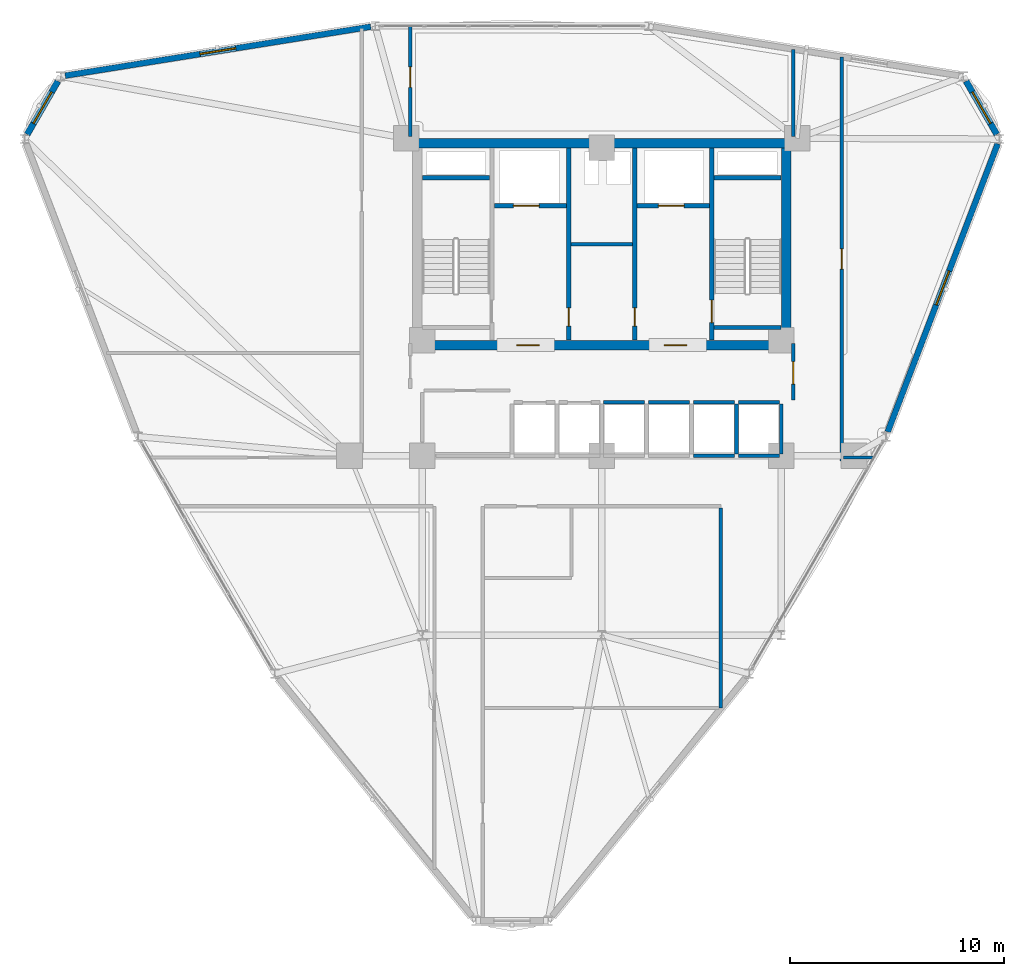
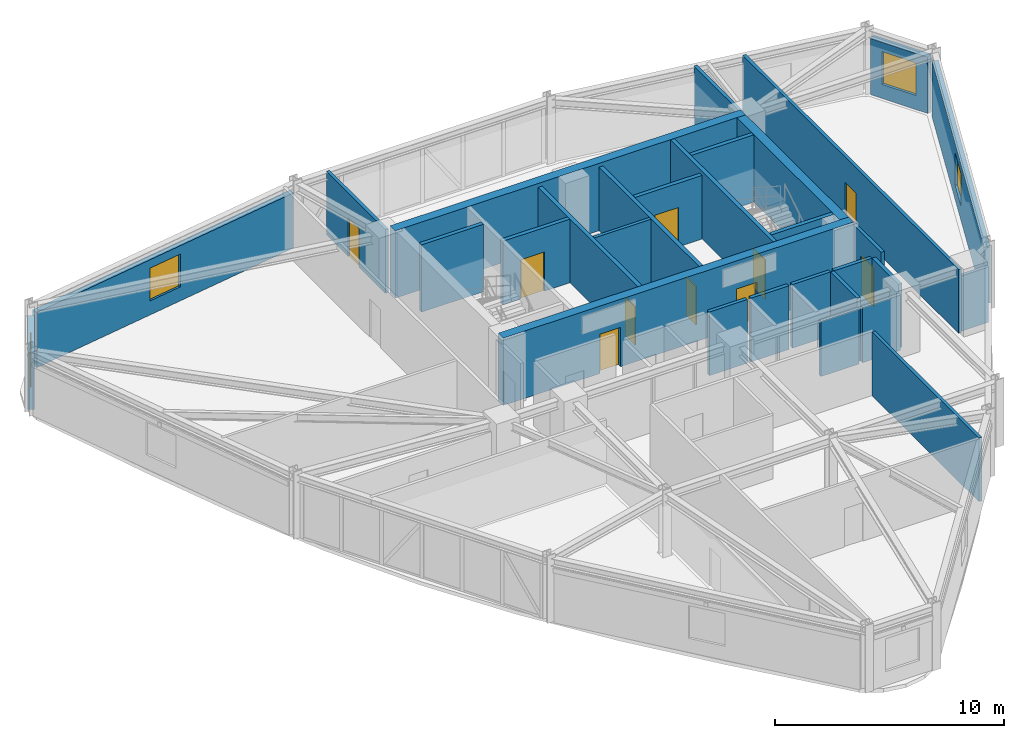
# One storey, part 11 of 15: 30 walls, 10 doors, 4 windows, 14 openings.
"""IFC4 building model written with IfcOpenShell, lengths in metres."""

from ifc_helpers import new_model, si_unit, derived_unit, direction, frame, frame_2d, origin, place, context, subcontext, project, spatial, rectangle, extrude, material, layer, layer_set, type_object, element, fill, save


model = new_model("IFC4")

# Units and contexts
model_context = context("Model", 3, precision=1e-05, world=origin(), true_north=direction((0.0, 1.0)))
body_context = subcontext(model_context, "Body", "Model", "MODEL_VIEW")
ifc_project = project(units=[si_unit("LENGTHUNIT", "METRE"), si_unit("AREAUNIT", "SQUARE_METRE"), si_unit("VOLUMEUNIT", "CUBIC_METRE"), si_unit("PLANEANGLEUNIT", "RADIAN"), si_unit("MASSUNIT", "GRAM", prefix="KILO"), derived_unit("THERMALTRANSMITTANCEUNIT", [(si_unit("POWERUNIT", "WATT"), 1), (si_unit("LENGTHUNIT", "METRE"), -2), (si_unit("THERMODYNAMICTEMPERATUREUNIT", "KELVIN"), -1)])], contexts=[model_context])

# Site, building, storey
site_placement = place(None, origin())
site = spatial("IfcSite", under=ifc_project, at=site_placement, CompositionType="ELEMENT")
building_placement = place(site_placement, origin())
building = spatial("IfcBuilding", under=site, at=building_placement, Name="Korsvarv Bourse and Concert Hall", CompositionType="ELEMENT")
storey_placement = place(building_placement, frame((0.0, 0.0, 157.800048828125)))
storey = spatial("IfcBuildingStorey", under=building, at=storey_placement, Name="L40", CompositionType="ELEMENT", Elevation=157.800048828125)

# Wall
ifc_material_1 = material(Name="Concrete C50/60", Category="concrete")
ifc_layer_1 = layer(ifc_material_1, 0.3798828125)
ifc_layer_set_1 = layer_set([ifc_layer_1], Name="Concrete C50/60")
wall_type_1 = type_object("IfcWallType", Name="WL-CORE-380", PredefinedType="SHEAR", material=ifc_layer_set_1)
wall_1_placement = place(storey_placement, frame((27.610107421875, 45.39990234375, 0.0), z_axis=(0.0, 0.0, 1.0), x_axis=(1.0, 0.0, 0.0)))
element("IfcWall", 1, at=wall_1_placement, inside=storey, type_object=wall_type_1, Name="L40 stair shaft structural wall W-L40-ST1-N", PredefinedType="SHEAR", context=body_context, shape_type="SweptSolid", body=[
    extrude(rectangle(XDim=3.139892578125, YDim=0.199951171875, at=frame_2d((1.56982421875, 0.0))), origin(), (0.0, 0.0, 1.0), 3.599853515625),
])

# Wall, opening, door
wall_2_placement = place(storey_placement, frame((41.139892578125, 37.81005859375, 0.0), z_axis=(0.0, 0.0, 1.0), x_axis=(0.0, 1.0, 0.0)))
wall_2 = element("IfcWall", 2, at=wall_2_placement, inside=storey, type_object=wall_type_1, Name="L40 stair shaft structural wall W-L40-ST2-W", PredefinedType="SHEAR", context=body_context, shape_type="SweptSolid", body=[
    extrude(rectangle(XDim=8.97998046875, YDim=0.199951171875, at=frame_2d((4.489990234375, 0.0))), origin(), (0.0, 0.0, 1.0), 3.599853515625),
])
opening_1_placement = place(wall_2_placement, frame((0.820068359375, 0.0, 0.0)))
opening_1 = element("IfcOpeningElement", 3, at=opening_1_placement, cuts=wall_2, Name="Opening D-01", PredefinedType="OPENING", context=body_context, shape_type="SweptSolid", body=[
    extrude(rectangle(XDim=1.050048828125, YDim=2.10009765625, at=frame_2d((0.52490234375, 1.050048828125))), frame((0.0, 0.10986328125, 0.0), z_axis=(0.0, -1.0, 0.0), x_axis=(1.0, 0.0, 0.0)), (0.0, 0.0, 1.0), 0.219970703125),
])
ifc_material_2 = material(Name="Steel S355 fire door", Category="steel")
door_type_1 = type_object("IfcDoorType", Name="DR-FD60", OperationType="NOTDEFINED", PredefinedType="DOOR", material=ifc_material_2)
door_1_placement = place(opening_1_placement, frame((1.050048828125, 0.0, 0.0), z_axis=(0.0, 0.0, 1.0), x_axis=(-1.0, 0.0, 0.0)))
door_1 = element("IfcDoor", 4, at=door_1_placement, inside=storey, type_object=door_type_1, Name="L40 interior door DR-L40-ST2", OperationType="SINGLE_SWING_RIGHT", OverallHeight=2.10009765625, OverallWidth=1.050048828125, PredefinedType="DOOR", context=body_context, shape_type="SweptSolid", body=[
    extrude(rectangle(XDim=1.050048828125, YDim=2.10009765625, at=frame_2d((0.52490234375, 1.050048828125))), frame((0.0, 0.02490234375, 0.0), z_axis=(0.0, -1.0, 0.0), x_axis=(1.0, 0.0, 0.0)), (0.0, 0.0, 1.0), 0.050048828125),
])
fill(opening_1, door_1)

# Walls
for number, where, z_axis, x_axis, name in (
    (5, (41.25, 45.39990234375, 0.0), (0.0, 0.0, 1.0), (1.0, 0.0, 0.0), "L40 stair shaft structural wall W-L40-ST2-N"),
    (6, (41.25, 38.39990234375, 0.0), (0.0, 0.0, 1.0), (1.0, 0.0, 0.0), "L40 stair shaft structural wall W-L40-ST2-S"),
):
    element("IfcWall", number, at=place(storey_placement, frame(where, z_axis=z_axis, x_axis=x_axis)), inside=storey, type_object=wall_type_1, Name=name, PredefinedType="SHEAR", context=body_context, shape_type="SweptSolid", body=[
        extrude(rectangle(XDim=3.139892578125, YDim=0.199951171875, at=frame_2d((1.56982421875, 0.0))), origin(), (0.0, 0.0, 1.0), 3.599853515625),
    ])
ifc_material_3 = material(Name="Concrete C55/67", Category="concrete")
ifc_layer_2 = layer(ifc_material_3, 0.449951171875)
ifc_layer_set_2 = layer_set([ifc_layer_2], Name="Concrete C55/67")
wall_type_2 = type_object("IfcWallType", Name="WL-CORE-450", PredefinedType="SHEAR", material=ifc_layer_set_2)
wall_3_placement = place(storey_placement, frame((27.14990234375, 47.02490234375, 0.0), z_axis=(0.0, 0.0, 1.0), x_axis=(1.0, 0.0, 0.0)))
element("IfcWall", 7, at=wall_3_placement, inside=storey, type_object=wall_type_2, Name="L40 North Core Shear Wall", PredefinedType="SHEAR", context=body_context, shape_type="SweptSolid", body=[
    extrude(rectangle(XDim=17.7001953125, YDim=0.449951171875, at=frame_2d((8.85009765625, 0.0))), origin(), (0.0, 0.0, 1.0), 3.599853515625),
])

# Wall, openings, doors
wall_4_placement = place(storey_placement, frame((27.14990234375, 37.574951171875, 0.0), z_axis=(0.0, 0.0, 1.0), x_axis=(1.0, 0.0, 0.0)))
wall_4 = element("IfcWall", 8, at=wall_4_placement, inside=storey, type_object=wall_type_2, Name="L40 South Core Shear Wall", PredefinedType="SHEAR", context=body_context, shape_type="SweptSolid", body=[
    extrude(rectangle(XDim=17.7001953125, YDim=0.449951171875, at=frame_2d((8.85009765625, 0.0))), origin(), (0.0, 0.0, 1.0), 3.599853515625),
])
opening_2_placement = place(wall_4_placement, frame((4.875, 0.0, 0.0)))
opening_2 = element("IfcOpeningElement", 9, at=opening_2_placement, cuts=wall_4, Name="Opening D-01", PredefinedType="OPENING", context=body_context, shape_type="SweptSolid", body=[
    extrude(rectangle(XDim=1.050048828125, YDim=2.10009765625, at=frame_2d((0.52490234375, 1.050048828125))), frame((0.0, 0.23486328125, 0.0), z_axis=(0.0, -1.0, 0.0), x_axis=(1.0, 0.0, 0.0)), (0.0, 0.0, 1.0), 0.469970703125),
])
opening_3_placement = place(wall_4_placement, frame((11.77490234375, 0.0, 0.0)))
opening_3 = element("IfcOpeningElement", 10, at=opening_3_placement, cuts=wall_4, Name="Opening D-01", PredefinedType="OPENING", context=body_context, shape_type="SweptSolid", body=[
    extrude(rectangle(XDim=1.050048828125, YDim=2.10009765625, at=frame_2d((0.52490234375, 1.050048828125))), frame((0.0, 0.23486328125, 0.0), z_axis=(0.0, -1.0, 0.0), x_axis=(1.0, 0.0, 0.0)), (0.0, 0.0, 1.0), 0.469970703125),
])
door_2_placement = place(opening_2_placement, frame((1.050048828125, 0.0, 0.0), z_axis=(0.0, 0.0, 1.0), x_axis=(-1.0, 0.0, 0.0)))
door_2 = element("IfcDoor", 11, at=door_2_placement, inside=storey, type_object=door_type_1, Name="L40 firefighting lobby fire door DR-L40-FFLW", OperationType="SINGLE_SWING_RIGHT", OverallHeight=2.10009765625, OverallWidth=1.050048828125, PredefinedType="DOOR", context=body_context, shape_type="SweptSolid", body=[
    extrude(rectangle(XDim=1.050048828125, YDim=2.10009765625, at=frame_2d((0.52490234375, 1.050048828125))), frame((0.0, 0.02490234375, 0.0), z_axis=(0.0, -1.0, 0.0), x_axis=(1.0, 0.0, 0.0)), (0.0, 0.0, 1.0), 0.050048828125),
])
fill(opening_2, door_2)
door_3_placement = place(opening_3_placement, frame((1.050048828125, 0.0, 0.0), z_axis=(0.0, 0.0, 1.0), x_axis=(-1.0, 0.0, 0.0)))
door_3 = element("IfcDoor", 12, at=door_3_placement, inside=storey, type_object=door_type_1, Name="L40 firefighting lobby fire door DR-L40-FFLE", OperationType="SINGLE_SWING_LEFT", OverallHeight=2.10009765625, OverallWidth=1.050048828125, PredefinedType="DOOR", context=body_context, shape_type="SweptSolid", body=[
    extrude(rectangle(XDim=1.050048828125, YDim=2.10009765625, at=frame_2d((0.52490234375, 1.050048828125))), frame((0.0, 0.02490234375, 0.0), z_axis=(0.0, -1.0, 0.0), x_axis=(1.0, 0.0, 0.0)), (0.0, 0.0, 1.0), 0.050048828125),
])
fill(opening_3, door_3)

# Wall
wall_5_placement = place(storey_placement, frame((44.625, 37.800048828125, 0.0), z_axis=(0.0, 0.0, 1.0), x_axis=(0.0, 1.0, 0.0)))
element("IfcWall", 13, at=wall_5_placement, inside=storey, type_object=wall_type_2, Name="L40 East Core Shear Wall", PredefinedType="SHEAR", context=body_context, shape_type="SweptSolid", body=[
    extrude(rectangle(XDim=9.0, YDim=0.449951171875, at=frame_2d((4.5, 0.0))), origin(), (0.0, 0.0, 1.0), 3.599853515625),
])

# Wall, opening, window
ifc_material_4 = material(Name="Precast concrete C45/55 with terracotta rainscreen", Category="concrete")
ifc_layer_3 = layer(ifc_material_4, 0.300048828125)
ifc_layer_set_3 = layer_set([ifc_layer_3], Name="Precast concrete C45/55 with terracotta rainscreen")
wall_type_3 = type_object("IfcWallType", Name="WL-EXT-TC1", PredefinedType="SOLIDWALL", material=ifc_layer_set_3)
wall_6_placement = place(storey_placement, frame((54.48583984375, 47.436279296875, 0.0), z_axis=(0.0, 0.0, 1.0), x_axis=(-0.499962359318, 0.866047134552, 0.0)))
wall_6 = element("IfcWall", 14, at=wall_6_placement, inside=storey, type_object=wall_type_3, Name="L40 terracotta exterior wall EW-L40-B01", PredefinedType="SOLIDWALL", context=body_context, shape_type="SweptSolid", body=[
    extrude(rectangle(XDim=2.877685546875, YDim=0.300048828125, at=frame_2d((1.43896484375, 0.0))), origin(), (0.0, 0.0, 1.0), 3.0),
])
opening_4_placement = place(wall_6_placement, frame((0.588623046875, 0.0, 0.75)))
opening_4 = element("IfcOpeningElement", 15, at=opening_4_placement, cuts=wall_6, Name="Opening W-01", PredefinedType="OPENING", context=body_context, shape_type="SweptSolid", body=[
    extrude(rectangle(XDim=1.699951171875, YDim=1.75, at=frame_2d((0.85009765625, 0.875))), frame((0.0, 0.16015625, 0.0), z_axis=(0.0, -1.0, 0.0), x_axis=(1.0, 0.0, 0.0)), (0.0, 0.0, 1.0), 0.320068359375),
])
ifc_material_5 = material(Name="Thermally broken aluminium frame with triple low-E glass", Category="glass")
window_type = type_object("IfcWindowType", Name="WIN-TW1", PartitioningType="SINGLE_PANEL", PredefinedType="WINDOW", material=ifc_material_5)
window_1_placement = place(opening_4_placement, origin())
window_1 = element("IfcWindow", 16, at=window_1_placement, inside=storey, type_object=window_type, Name="L40 punched facade window W-01", OverallHeight=1.75, OverallWidth=1.699951171875, PartitioningType="SINGLE_PANEL", PredefinedType="WINDOW", context=body_context, shape_type="SweptSolid", body=[
    extrude(rectangle(XDim=1.699951171875, YDim=1.75, at=frame_2d((0.85009765625, 0.875))), frame((0.0, 0.030029296875, 0.0), z_axis=(0.0, -1.0, 0.0), x_axis=(1.0, 0.0, 0.0)), (0.0, 0.0, 1.0), 0.06005859375),
])
fill(opening_4, window_1)

wall_7_placement = place(storey_placement, frame((10.552978515625, 49.928466796875, 0.0), z_axis=(0.0, 0.0, 1.0), x_axis=(-0.499962359318, -0.866047134552, 0.0)))
wall_7 = element("IfcWall", 17, at=wall_7_placement, inside=storey, type_object=wall_type_3, Name="L40 terracotta exterior wall EW-L40-B05", PredefinedType="SOLIDWALL", context=body_context, shape_type="SweptSolid", body=[
    extrude(rectangle(XDim=2.877685546875, YDim=0.300048828125, at=frame_2d((1.43896484375, 0.0))), origin(), (0.0, 0.0, 1.0), 3.0),
])
opening_5_placement = place(wall_7_placement, frame((0.588623046875, 0.0, 0.75)))
opening_5 = element("IfcOpeningElement", 18, at=opening_5_placement, cuts=wall_7, Name="Opening W-01", PredefinedType="OPENING", context=body_context, shape_type="SweptSolid", body=[
    extrude(rectangle(XDim=1.699951171875, YDim=1.75, at=frame_2d((0.85009765625, 0.875))), frame((0.0, 0.16015625, 0.0), z_axis=(0.0, -1.0, 0.0), x_axis=(1.0, 0.0, 0.0)), (0.0, 0.0, 1.0), 0.320068359375),
])
window_2_placement = place(opening_5_placement, origin())
window_2 = element("IfcWindow", 19, at=window_2_placement, inside=storey, type_object=window_type, Name="L40 punched facade window W-01", OverallHeight=1.75, OverallWidth=1.699951171875, PartitioningType="SINGLE_PANEL", PredefinedType="WINDOW", context=body_context, shape_type="SweptSolid", body=[
    extrude(rectangle(XDim=1.699951171875, YDim=1.75, at=frame_2d((0.85009765625, 0.875))), frame((0.0, 0.030029296875, 0.0), z_axis=(0.0, -1.0, 0.0), x_axis=(1.0, 0.0, 0.0)), (0.0, 0.0, 1.0), 0.06005859375),
])
fill(opening_5, window_2)

ifc_material_6 = material(Name="Precast concrete C45/55 with fluted terracotta pier", Category="concrete")
ifc_layer_4 = layer(ifc_material_6, 0.280029296875)
ifc_layer_set_4 = layer_set([ifc_layer_4], Name="Precast concrete C45/55 with fluted terracotta pier")
wall_type_4 = type_object("IfcWallType", Name="WL-EXT-TC2", PredefinedType="SOLIDWALL", material=ifc_layer_set_4)
wall_8_placement = place(storey_placement, frame((25.1875, 52.4736328125, 0.0), z_axis=(0.0, 0.0, 1.0), x_axis=(-0.987423472948, -0.158097707357, 0.0)))
wall_8 = element("IfcWall", 20, at=wall_8_placement, inside=storey, type_object=wall_type_4, Name="L40 terracotta exterior wall EW-L40-B04", PredefinedType="SOLIDWALL", context=body_context, shape_type="SweptSolid", body=[
    extrude(rectangle(XDim=14.477294921875, YDim=0.280029296875, at=frame_2d((7.23876953125, 0.0))), origin(), (0.0, 0.0, 1.0), 2.949951171875),
])
opening_6_placement = place(wall_8_placement, frame((6.388671875, 0.0, 0.75)))
opening_6 = element("IfcOpeningElement", 21, at=opening_6_placement, cuts=wall_8, Name="Opening W-01", PredefinedType="OPENING", context=body_context, shape_type="SweptSolid", body=[
    extrude(rectangle(XDim=1.699951171875, YDim=1.75, at=frame_2d((0.85009765625, 0.875))), frame((0.0, 0.14990234375, 0.0), z_axis=(0.0, -1.0, 0.0), x_axis=(1.0, 0.0, 0.0)), (0.0, 0.0, 1.0), 0.300048828125),
])
window_3_placement = place(opening_6_placement, origin())
window_3 = element("IfcWindow", 22, at=window_3_placement, inside=storey, type_object=window_type, Name="L40 punched facade window W-01", OverallHeight=1.75, OverallWidth=1.699951171875, PartitioningType="SINGLE_PANEL", PredefinedType="WINDOW", context=body_context, shape_type="SweptSolid", body=[
    extrude(rectangle(XDim=1.699951171875, YDim=1.75, at=frame_2d((0.85009765625, 0.875))), frame((0.0, 0.030029296875, 0.0), z_axis=(0.0, -1.0, 0.0), x_axis=(1.0, 0.0, 0.0)), (0.0, 0.0, 1.0), 0.06005859375),
])
fill(opening_6, window_3)

wall_9_placement = place(storey_placement, frame((49.381591796875, 33.5126953125, 0.0), z_axis=(0.0, 0.0, 1.0), x_axis=(0.356778358033, 0.934189061828, 0.0)))
wall_9 = element("IfcWall", 23, at=wall_9_placement, inside=storey, type_object=wall_type_4, Name="L40 terracotta exterior wall EW-L40-B12", PredefinedType="SOLIDWALL", context=body_context, shape_type="SweptSolid", body=[
    extrude(rectangle(XDim=14.42822265625, YDim=0.280029296875, at=frame_2d((7.214111328125, 0.0))), origin(), (0.0, 0.0, 1.0), 3.0),
])
opening_7_placement = place(wall_9_placement, frame((6.364013671875, 0.0, 0.75)))
opening_7 = element("IfcOpeningElement", 24, at=opening_7_placement, cuts=wall_9, Name="Opening W-01", PredefinedType="OPENING", context=body_context, shape_type="SweptSolid", body=[
    extrude(rectangle(XDim=1.699951171875, YDim=1.75, at=frame_2d((0.85009765625, 0.875))), frame((0.0, 0.14990234375, 0.0), z_axis=(0.0, -1.0, 0.0), x_axis=(1.0, 0.0, 0.0)), (0.0, 0.0, 1.0), 0.300048828125),
])
window_4_placement = place(opening_7_placement, origin())
window_4 = element("IfcWindow", 25, at=window_4_placement, inside=storey, type_object=window_type, Name="L40 punched facade window W-01", OverallHeight=1.75, OverallWidth=1.699951171875, PartitioningType="SINGLE_PANEL", PredefinedType="WINDOW", context=body_context, shape_type="SweptSolid", body=[
    extrude(rectangle(XDim=1.699951171875, YDim=1.75, at=frame_2d((0.85009765625, 0.875))), frame((0.0, 0.030029296875, 0.0), z_axis=(0.0, -1.0, 0.0), x_axis=(1.0, 0.0, 0.0)), (0.0, 0.0, 1.0), 0.06005859375),
])
fill(opening_7, window_4)

# Wall, opening, door
ifc_material_7 = material(Name="Reinforced concrete blockwork C35/45 fire wall", Category="concrete")
ifc_layer_5 = layer(ifc_material_7, 0.199951171875)
ifc_layer_set_5 = layer_set([ifc_layer_5], Name="Reinforced concrete blockwork C35/45 fire wall")
wall_type_5 = type_object("IfcWallType", Name="WL-INT-EI120", PredefinedType="PARTITIONING", material=ifc_layer_set_5)
wall_10_placement = place(storey_placement, frame((30.969970703125, 44.10009765625, 0.0), z_axis=(0.0, 0.0, 1.0), x_axis=(1.0, 0.0, 0.0)))
wall_10 = element("IfcWall", 26, at=wall_10_placement, inside=storey, type_object=wall_type_5, Name="L40 interior partition wall W-L40-FF1-S", PredefinedType="PARTITIONING", context=body_context, shape_type="SweptSolid", body=[
    extrude(rectangle(XDim=3.380126953125, YDim=0.199951171875, at=frame_2d((1.68994140625, 0.0))), origin(), (0.0, 0.0, 1.0), 3.39990234375),
])
opening_8_placement = place(wall_10_placement, frame((0.89990234375, 0.0, 0.0)))
opening_8 = element("IfcOpeningElement", 27, at=opening_8_placement, cuts=wall_10, Name="Opening LD-1", PredefinedType="OPENING", context=body_context, shape_type="SweptSolid", body=[
    extrude(rectangle(XDim=1.199951171875, YDim=2.10009765625, at=frame_2d((0.60009765625, 1.050048828125))), frame((0.0, 0.10986328125, 0.0), z_axis=(0.0, -1.0, 0.0), x_axis=(1.0, 0.0, 0.0)), (0.0, 0.0, 1.0), 0.219970703125),
])
ifc_material_8 = material(Name="Stainless Steel S355 firefighting lift landing door", Category="steel")
door_type_2 = type_object("IfcDoorType", Name="DR-LIFT-FF", OperationType="DOUBLE_DOOR_SLIDING", PredefinedType="DOOR", material=ifc_material_8)
door_4_placement = place(opening_8_placement, origin())
door_4 = element("IfcDoor", 28, at=door_4_placement, inside=storey, type_object=door_type_2, Name="L40 lift sliding landing door LD-L40-FF1", OperationType="DOUBLE_DOOR_SLIDING", OverallHeight=2.10009765625, OverallWidth=1.199951171875, PredefinedType="DOOR", context=body_context, shape_type="SweptSolid", body=[
    extrude(rectangle(XDim=1.199951171875, YDim=2.10009765625, at=frame_2d((0.60009765625, 1.050048828125))), frame((0.0, 0.02490234375, 0.0), z_axis=(0.0, -1.0, 0.0), x_axis=(1.0, 0.0, 0.0)), (0.0, 0.0, 1.0), 0.050048828125),
])
fill(opening_8, door_4)

wall_11_placement = place(storey_placement, frame((37.64990234375, 44.10009765625, 0.0), z_axis=(0.0, 0.0, 1.0), x_axis=(1.0, 0.0, 0.0)))
wall_11 = element("IfcWall", 29, at=wall_11_placement, inside=storey, type_object=wall_type_5, Name="L40 interior partition wall W-L40-FF2-S", PredefinedType="PARTITIONING", context=body_context, shape_type="SweptSolid", body=[
    extrude(rectangle(XDim=3.380126953125, YDim=0.199951171875, at=frame_2d((1.68994140625, 0.0))), origin(), (0.0, 0.0, 1.0), 3.39990234375),
])
opening_9_placement = place(wall_11_placement, frame((1.0, 0.0, 0.0)))
opening_9 = element("IfcOpeningElement", 30, at=opening_9_placement, cuts=wall_11, Name="Opening LD-1", PredefinedType="OPENING", context=body_context, shape_type="SweptSolid", body=[
    extrude(rectangle(XDim=1.199951171875, YDim=2.10009765625, at=frame_2d((0.60009765625, 1.050048828125))), frame((0.0, 0.10986328125, 0.0), z_axis=(0.0, -1.0, 0.0), x_axis=(1.0, 0.0, 0.0)), (0.0, 0.0, 1.0), 0.219970703125),
])
door_5_placement = place(opening_9_placement, origin())
door_5 = element("IfcDoor", 31, at=door_5_placement, inside=storey, type_object=door_type_2, Name="L40 lift sliding landing door LD-L40-FF2", OperationType="DOUBLE_DOOR_SLIDING", OverallHeight=2.10009765625, OverallWidth=1.199951171875, PredefinedType="DOOR", context=body_context, shape_type="SweptSolid", body=[
    extrude(rectangle(XDim=1.199951171875, YDim=2.10009765625, at=frame_2d((0.60009765625, 1.050048828125))), frame((0.0, 0.02490234375, 0.0), z_axis=(0.0, -1.0, 0.0), x_axis=(1.0, 0.0, 0.0)), (0.0, 0.0, 1.0), 0.050048828125),
])
fill(opening_9, door_5)

wall_12_placement = place(storey_placement, frame((34.4599609375, 37.81005859375, 0.0), z_axis=(0.0, 0.0, 1.0), x_axis=(0.0, 1.0, 0.0)))
wall_12 = element("IfcWall", 32, at=wall_12_placement, inside=storey, type_object=wall_type_5, Name="L40 interior partition wall W-L40-CSB-W", PredefinedType="PARTITIONING", context=body_context, shape_type="SweptSolid", body=[
    extrude(rectangle(XDim=8.97998046875, YDim=0.199951171875, at=frame_2d((4.489990234375, 0.0))), origin(), (0.0, 0.0, 1.0), 3.39990234375),
])
opening_10_placement = place(wall_12_placement, frame((0.64990234375, 0.0, 0.0)))
opening_10 = element("IfcOpeningElement", 33, at=opening_10_placement, cuts=wall_12, Name="Opening D-05", PredefinedType="OPENING", context=body_context, shape_type="SweptSolid", body=[
    extrude(rectangle(XDim=0.85009765625, YDim=2.050048828125, at=frame_2d((0.425048828125, 1.02490234375))), frame((0.0, 0.10986328125, 0.0), z_axis=(0.0, -1.0, 0.0), x_axis=(1.0, 0.0, 0.0)), (0.0, 0.0, 1.0), 0.219970703125),
])
door_type_3 = type_object("IfcDoorType", Name="DR-FD60-850X2050", OperationType="NOTDEFINED", PredefinedType="DOOR", material=ifc_material_2)
door_6_placement = place(opening_10_placement, frame((0.85009765625, 0.0, 0.0), z_axis=(0.0, 0.0, 1.0), x_axis=(-1.0, 0.0, 0.0)))
door_6 = element("IfcDoor", 34, at=door_6_placement, inside=storey, type_object=door_type_3, Name="L40 interior door DR-L40-CSB1", OperationType="SINGLE_SWING_LEFT", OverallHeight=2.050048828125, OverallWidth=0.85009765625, PredefinedType="DOOR", context=body_context, shape_type="SweptSolid", body=[
    extrude(rectangle(XDim=0.85009765625, YDim=2.050048828125, at=frame_2d((0.425048828125, 1.02490234375))), frame((0.0, 0.02490234375, 0.0), z_axis=(0.0, -1.0, 0.0), x_axis=(1.0, 0.0, 0.0)), (0.0, 0.0, 1.0), 0.050048828125),
])
fill(opening_10, door_6)

wall_13_placement = place(storey_placement, frame((37.5400390625, 37.81005859375, 0.0), z_axis=(0.0, 0.0, 1.0), x_axis=(0.0, 1.0, 0.0)))
wall_13 = element("IfcWall", 35, at=wall_13_placement, inside=storey, type_object=wall_type_5, Name="L40 interior partition wall W-L40-CSB-E", PredefinedType="PARTITIONING", context=body_context, shape_type="SweptSolid", body=[
    extrude(rectangle(XDim=8.97998046875, YDim=0.199951171875, at=frame_2d((4.489990234375, 0.0))), origin(), (0.0, 0.0, 1.0), 3.39990234375),
])
opening_11_placement = place(wall_13_placement, frame((0.64990234375, 0.0, 0.0)))
opening_11 = element("IfcOpeningElement", 36, at=opening_11_placement, cuts=wall_13, Name="Opening D-05", PredefinedType="OPENING", context=body_context, shape_type="SweptSolid", body=[
    extrude(rectangle(XDim=0.85009765625, YDim=2.050048828125, at=frame_2d((0.425048828125, 1.02490234375))), frame((0.0, 0.10986328125, 0.0), z_axis=(0.0, -1.0, 0.0), x_axis=(1.0, 0.0, 0.0)), (0.0, 0.0, 1.0), 0.219970703125),
])
door_7_placement = place(opening_11_placement, origin())
door_7 = element("IfcDoor", 37, at=door_7_placement, inside=storey, type_object=door_type_3, Name="L40 interior door DR-L40-CSB2", OperationType="SINGLE_SWING_RIGHT", OverallHeight=2.050048828125, OverallWidth=0.85009765625, PredefinedType="DOOR", context=body_context, shape_type="SweptSolid", body=[
    extrude(rectangle(XDim=0.85009765625, YDim=2.050048828125, at=frame_2d((0.425048828125, 1.02490234375))), frame((0.0, 0.02490234375, 0.0), z_axis=(0.0, -1.0, 0.0), x_axis=(1.0, 0.0, 0.0)), (0.0, 0.0, 1.0), 0.050048828125),
])
fill(opening_11, door_7)

# Wall
ifc_material_9 = material(Name="Double-stud fire-rated acoustic partition", Category="gypsum")
ifc_layer_6 = layer(ifc_material_9, 0.159912109375)
ifc_layer_set_6 = layer_set([ifc_layer_6], Name="Double-stud fire-rated acoustic partition")
wall_type_6 = type_object("IfcWallType", Name="WL-INT-EI60", PredefinedType="PARTITIONING", material=ifc_layer_set_6)
wall_14_placement = place(storey_placement, frame((34.570068359375, 42.300048828125, 0.0), z_axis=(0.0, 0.0, 1.0), x_axis=(1.0, 0.0, 0.0)))
element("IfcWall", 38, at=wall_14_placement, inside=storey, type_object=wall_type_6, Name="L40 interior partition wall W-L40-K1", PredefinedType="PARTITIONING", context=body_context, shape_type="SweptSolid", body=[
    extrude(rectangle(XDim=2.85986328125, YDim=0.159912109375, at=frame_2d((1.429931640625, 0.0))), origin(), (0.0, 0.0, 1.0), 3.39990234375),
])

# Wall, opening, door
wall_15_placement = place(storey_placement, frame((44.9599609375, 35.0, 0.0), z_axis=(0.0, 0.0, 1.0), x_axis=(0.0, 1.0, 0.0)))
wall_15 = element("IfcWall", 39, at=wall_15_placement, inside=storey, type_object=wall_type_6, Name="L40 interior partition wall W-L40-LOB-E", PredefinedType="PARTITIONING", context=body_context, shape_type="SweptSolid", body=[
    extrude(rectangle(XDim=2.64990234375, YDim=0.159912109375, at=frame_2d((1.324951171875, 0.0))), origin(), (0.0, 0.0, 1.0), 3.39990234375),
])
opening_12_placement = place(wall_15_placement, frame((0.75, 0.0, 0.0)))
opening_12 = element("IfcOpeningElement", 40, at=opening_12_placement, cuts=wall_15, Name="Opening D-01", PredefinedType="OPENING", context=body_context, shape_type="SweptSolid", body=[
    extrude(rectangle(XDim=1.050048828125, YDim=2.10009765625, at=frame_2d((0.52490234375, 1.050048828125))), frame((0.0, 0.08984375, 0.0), z_axis=(0.0, -1.0, 0.0), x_axis=(1.0, 0.0, 0.0)), (0.0, 0.0, 1.0), 0.179931640625),
])
door_8_placement = place(opening_12_placement, origin())
door_8 = element("IfcDoor", 41, at=door_8_placement, inside=storey, type_object=door_type_1, Name="L40 interior door DR-L40-LOBE", OperationType="SINGLE_SWING_LEFT", OverallHeight=2.10009765625, OverallWidth=1.050048828125, PredefinedType="DOOR", context=body_context, shape_type="SweptSolid", body=[
    extrude(rectangle(XDim=1.050048828125, YDim=2.10009765625, at=frame_2d((0.52490234375, 1.050048828125))), frame((0.0, 0.02490234375, 0.0), z_axis=(0.0, -1.0, 0.0), x_axis=(1.0, 0.0, 0.0)), (0.0, 0.0, 1.0), 0.050048828125),
])
fill(opening_12, door_8)

wall_16_placement = place(storey_placement, frame((47.22509765625, 32.159912109375, 0.0), z_axis=(0.0, 0.0, 1.0), x_axis=(0.0, 1.0, 0.0)))
wall_16 = element("IfcWall", 42, at=wall_16_placement, inside=storey, type_object=wall_type_6, Name="L40 interior partition wall W-L40-TCOR-03", PredefinedType="PARTITIONING", context=body_context, shape_type="SweptSolid", body=[
    extrude(rectangle(XDim=18.882568359375, YDim=0.159912109375, at=frame_2d((9.44140625, 0.0))), origin(), (0.0, 0.0, 1.0), 3.39990234375),
])
opening_13_placement = place(wall_16_placement, frame((8.96630859375, 0.0, 0.0)))
opening_13 = element("IfcOpeningElement", 43, at=opening_13_placement, cuts=wall_16, Name="Opening D-02", PredefinedType="OPENING", context=body_context, shape_type="SweptSolid", body=[
    extrude(rectangle(XDim=0.949951171875, YDim=2.050048828125, at=frame_2d((0.47509765625, 1.02490234375))), frame((0.0, 0.08984375, 0.0), z_axis=(0.0, -1.0, 0.0), x_axis=(1.0, 0.0, 0.0)), (0.0, 0.0, 1.0), 0.179931640625),
])
ifc_material_10 = material(Name="Timber and steel acoustic fire door", Category="wood")
door_type_4 = type_object("IfcDoorType", Name="DR-FD30", OperationType="NOTDEFINED", PredefinedType="DOOR", material=ifc_material_10)
door_9_placement = place(opening_13_placement, origin())
door_9 = element("IfcDoor", 44, at=door_9_placement, inside=storey, type_object=door_type_4, Name="L40 interior door DR-L40-TCOR-S081", OperationType="SINGLE_SWING_RIGHT", OverallHeight=2.050048828125, OverallWidth=0.949951171875, PredefinedType="DOOR", context=body_context, shape_type="SweptSolid", body=[
    extrude(rectangle(XDim=0.949951171875, YDim=2.050048828125, at=frame_2d((0.47509765625, 1.02490234375))), frame((0.0, 0.02490234375, 0.0), z_axis=(0.0, -1.0, 0.0), x_axis=(1.0, 0.0, 0.0)), (0.0, 0.0, 1.0), 0.050048828125),
])
fill(opening_13, door_9)

# Wall
wall_17_placement = place(storey_placement, frame((41.574951171875, 20.59765625, 0.0), z_axis=(0.0, 0.0, 1.0), x_axis=(0.0, 1.0, 0.0)))
element("IfcWall", 45, at=wall_17_placement, inside=storey, type_object=wall_type_6, Name="L40 interior partition wall W-L40-TCOR-08", PredefinedType="PARTITIONING", context=body_context, shape_type="SweptSolid", body=[
    extrude(rectangle(XDim=9.345458984375, YDim=0.159912109375, at=frame_2d((4.6728515625, 0.0))), origin(), (0.0, 0.0, 1.0), 3.39990234375),
])

# Wall, opening, door
wall_18_placement = place(storey_placement, frame((27.034912109375, 47.340087890625, 0.0), z_axis=(0.0, 0.0, 1.0), x_axis=(0.0, 1.0, 0.0)))
wall_18 = element("IfcWall", 46, at=wall_18_placement, inside=storey, type_object=wall_type_6, Name="L40 interior partition wall W-L40-TCOR-09", PredefinedType="PARTITIONING", context=body_context, shape_type="SweptSolid", body=[
    extrude(rectangle(XDim=5.1474609375, YDim=0.159912109375, at=frame_2d((2.57373046875, 0.0))), origin(), (0.0, 0.0, 1.0), 3.39990234375),
])
opening_14_placement = place(wall_18_placement, frame((2.29638671875, 0.0, 0.0)))
opening_14 = element("IfcOpeningElement", 47, at=opening_14_placement, cuts=wall_18, Name="Opening D-02", PredefinedType="OPENING", context=body_context, shape_type="SweptSolid", body=[
    extrude(rectangle(XDim=0.949951171875, YDim=2.050048828125, at=frame_2d((0.47509765625, 1.02490234375))), frame((0.0, 0.08984375, 0.0), z_axis=(0.0, -1.0, 0.0), x_axis=(1.0, 0.0, 0.0)), (0.0, 0.0, 1.0), 0.179931640625),
])
door_10_placement = place(opening_14_placement, origin())
door_10 = element("IfcDoor", 48, at=door_10_placement, inside=storey, type_object=door_type_4, Name="L40 interior door DR-L40-TCOR-S042", OperationType="SINGLE_SWING_RIGHT", OverallHeight=2.050048828125, OverallWidth=0.949951171875, PredefinedType="DOOR", context=body_context, shape_type="SweptSolid", body=[
    extrude(rectangle(XDim=0.949951171875, YDim=2.050048828125, at=frame_2d((0.47509765625, 1.02490234375))), frame((0.0, 0.02490234375, 0.0), z_axis=(0.0, -1.0, 0.0), x_axis=(1.0, 0.0, 0.0)), (0.0, 0.0, 1.0), 0.050048828125),
])
fill(opening_14, door_10)

# Walls
wall_19_placement = place(storey_placement, frame((44.965087890625, 47.340087890625, 0.0), z_axis=(0.0, 0.0, 1.0), x_axis=(0.0, 1.0, 0.0)))
element("IfcWall", 49, at=wall_19_placement, inside=storey, type_object=wall_type_6, Name="L40 interior partition wall W-L40-TCOR-10", PredefinedType="PARTITIONING", context=body_context, shape_type="SweptSolid", body=[
    extrude(rectangle(XDim=4.064453125, YDim=0.159912109375, at=frame_2d((2.0322265625, 0.0))), origin(), (0.0, 0.0, 1.0), 3.39990234375),
])
wall_20_placement = place(storey_placement, frame((47.306884765625, 32.31494140625, 0.0), z_axis=(0.0, 0.0, 1.0), x_axis=(1.0, 0.0, 0.0)))
element("IfcWall", 50, at=wall_20_placement, inside=storey, type_object=wall_type_6, Name="L40 interior partition wall W-L40-TCOR-11", PredefinedType="PARTITIONING", context=body_context, shape_type="SweptSolid", body=[
    extrude(rectangle(XDim=1.40673828125, YDim=0.159912109375, at=frame_2d((0.703369140625, 0.0))), origin(), (0.0, 0.0, 1.0), 2.949951171875),
])
ifc_material_11 = material(Name="Gypsum-clad autoclaved concrete shaft wall C30/37", Category="concrete")
ifc_layer_7 = layer(ifc_material_11, 0.179931640625)
ifc_layer_set_7 = layer_set([ifc_layer_7], Name="Gypsum-clad autoclaved concrete shaft wall C30/37")
wall_type_7 = type_object("IfcWallType", Name="WL-INT-EI90", PredefinedType="PARTITIONING", material=ifc_layer_set_7)
wall_21_placement = place(storey_placement, frame((36.090087890625, 34.89990234375, 0.0), z_axis=(0.0, 0.0, 1.0), x_axis=(1.0, 0.0, 0.0)))
element("IfcWall", 51, at=wall_21_placement, inside=storey, type_object=wall_type_7, Name="L40 interior partition wall W-L40-SHFN-PH1", PredefinedType="PARTITIONING", context=body_context, shape_type="SweptSolid", body=[
    extrude(rectangle(XDim=1.919921875, YDim=0.179931640625, at=frame_2d((0.9599609375, 0.0))), origin(), (0.0, 0.0, 1.0), 3.39990234375),
])
wall_22_placement = place(storey_placement, frame((38.18994140625, 34.89990234375, 0.0), z_axis=(0.0, 0.0, 1.0), x_axis=(1.0, 0.0, 0.0)))
element("IfcWall", 52, at=wall_22_placement, inside=storey, type_object=wall_type_7, Name="L40 interior partition wall W-L40-SHFN-PH2", PredefinedType="PARTITIONING", context=body_context, shape_type="SweptSolid", body=[
    extrude(rectangle(XDim=1.920166015625, YDim=0.179931640625, at=frame_2d((0.9599609375, 0.0))), origin(), (0.0, 0.0, 1.0), 3.39990234375),
])
wall_23_placement = place(storey_placement, frame((40.2900390625, 34.89990234375, 0.0), z_axis=(0.0, 0.0, 1.0), x_axis=(1.0, 0.0, 0.0)))
element("IfcWall", 53, at=wall_23_placement, inside=storey, type_object=wall_type_7, Name="L40 interior partition wall W-L40-SHFN-PO1", PredefinedType="PARTITIONING", context=body_context, shape_type="SweptSolid", body=[
    extrude(rectangle(XDim=1.919921875, YDim=0.179931640625, at=frame_2d((0.9599609375, 0.0))), origin(), (0.0, 0.0, 1.0), 3.39990234375),
])
wall_24_placement = place(storey_placement, frame((40.2900390625, 32.39990234375, 0.0), z_axis=(0.0, 0.0, 1.0), x_axis=(1.0, 0.0, 0.0)))
element("IfcWall", 54, at=wall_24_placement, inside=storey, type_object=wall_type_7, Name="L40 interior partition wall W-L40-SHFS-PO1", PredefinedType="PARTITIONING", context=body_context, shape_type="SweptSolid", body=[
    extrude(rectangle(XDim=1.919921875, YDim=0.179931640625, at=frame_2d((0.9599609375, 0.0))), origin(), (0.0, 0.0, 1.0), 2.949951171875),
])
wall_25_placement = place(storey_placement, frame((42.389892578125, 34.89990234375, 0.0), z_axis=(0.0, 0.0, 1.0), x_axis=(1.0, 0.0, 0.0)))
element("IfcWall", 55, at=wall_25_placement, inside=storey, type_object=wall_type_7, Name="L40 interior partition wall W-L40-SHFN-PO2", PredefinedType="PARTITIONING", context=body_context, shape_type="SweptSolid", body=[
    extrude(rectangle(XDim=1.920166015625, YDim=0.179931640625, at=frame_2d((0.9599609375, 0.0))), origin(), (0.0, 0.0, 1.0), 3.39990234375),
])
wall_26_placement = place(storey_placement, frame((42.389892578125, 32.39990234375, 0.0), z_axis=(0.0, 0.0, 1.0), x_axis=(1.0, 0.0, 0.0)))
element("IfcWall", 56, at=wall_26_placement, inside=storey, type_object=wall_type_7, Name="L40 interior partition wall W-L40-SHFS-PO2", PredefinedType="PARTITIONING", context=body_context, shape_type="SweptSolid", body=[
    extrude(rectangle(XDim=1.920166015625, YDim=0.179931640625, at=frame_2d((0.9599609375, 0.0))), origin(), (0.0, 0.0, 1.0), 2.949951171875),
])
for number, where, z_axis, x_axis, name in (
    (57, (42.300048828125, 32.489990234375, 0.0), (0.0, 0.0, 1.0), (0.0, 1.0, 0.0), "L40 interior partition wall W-L40-SHFW-PO2"),
    (58, (44.39990234375, 32.489990234375, 0.0), (0.0, 0.0, 1.0), (0.0, 1.0, 0.0), "L40 interior partition wall W-L40-SHFE-END"),
):
    element("IfcWall", number, at=place(storey_placement, frame(where, z_axis=z_axis, x_axis=x_axis)), inside=storey, type_object=wall_type_7, Name=name, PredefinedType="PARTITIONING", context=body_context, shape_type="SweptSolid", body=[
        extrude(rectangle(XDim=2.320068359375, YDim=0.179931640625, at=frame_2d((1.16015625, 0.0))), origin(), (0.0, 0.0, 1.0), 3.39990234375),
    ])

save(model, "model.ifc")
